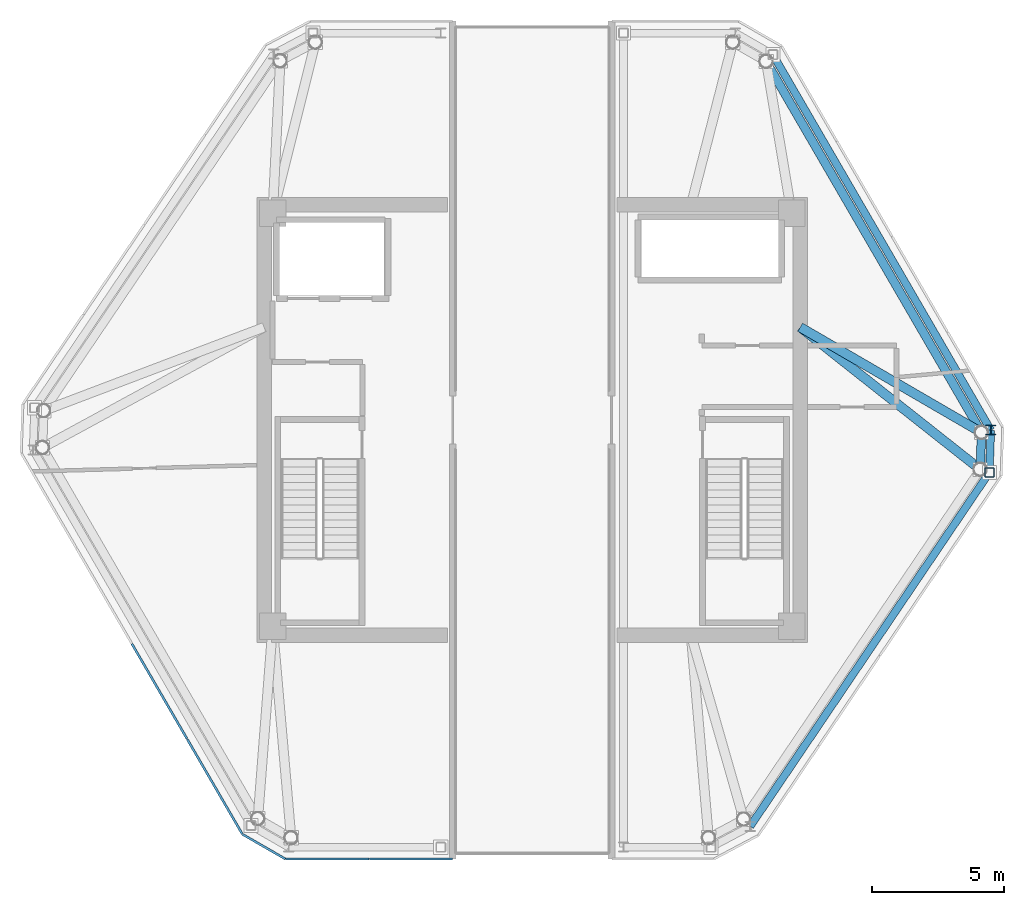
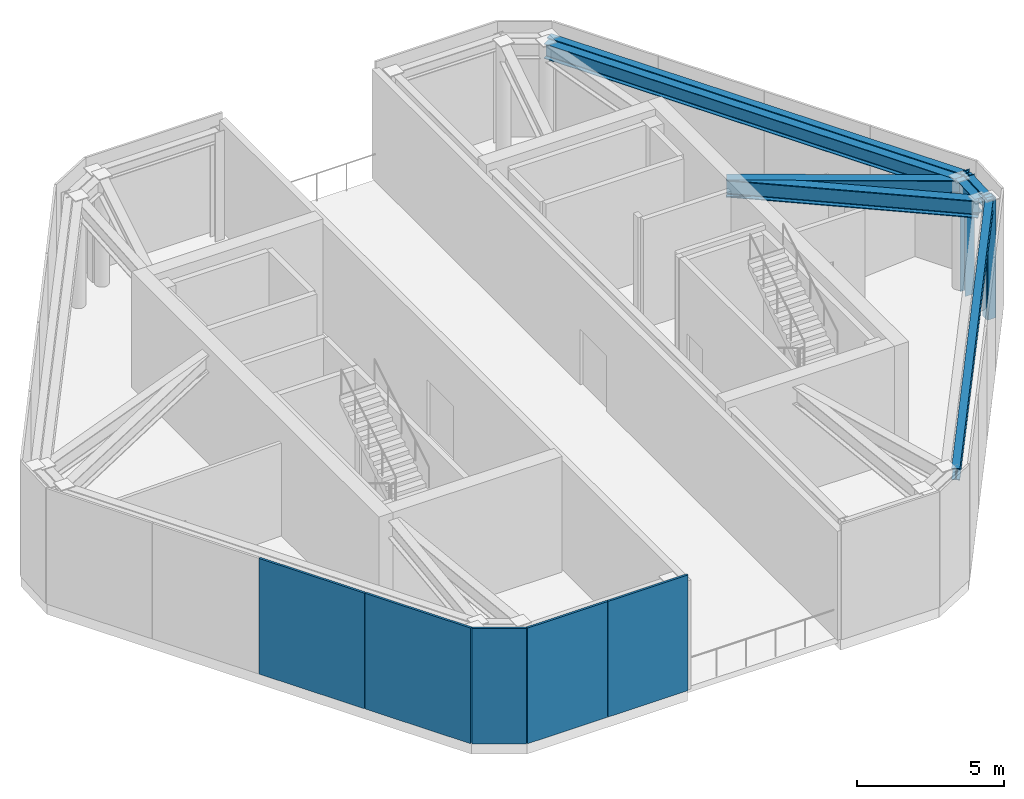
# One storey, part 5 of 8: 7 beams, 5 plates, 2 members.
"""IFC4 building model written with IfcOpenShell, lengths in metres."""

from ifc_helpers import new_model, si_unit, direction, frame, origin, origin_2d, place, context, subcontext, project, spatial, rectangle, hollow_rectangle, i_section, extrude, source, transform, mapped, material, layer, layer_set, material_profile, profile_set, type_object, type_shapes, element, save


model = new_model("IFC4")

# Units and contexts
model_context = context("Model", 3, precision=1e-05, world=origin(), true_north=direction((0.0, 1.0)))
body_context = subcontext(model_context, "Body", "Model", "MODEL_VIEW")
ifc_project = project(units=[si_unit("LENGTHUNIT", "METRE"), si_unit("AREAUNIT", "SQUARE_METRE"), si_unit("VOLUMEUNIT", "CUBIC_METRE"), si_unit("PLANEANGLEUNIT", "RADIAN"), si_unit("MASSUNIT", "GRAM", prefix="KILO")], contexts=[model_context])

# Site, building, storey
site_placement = place(None, origin())
site = spatial("IfcSite", under=ifc_project, at=site_placement, CompositionType="ELEMENT")
building_placement = place(site_placement, origin())
building = spatial("IfcBuilding", under=site, at=building_placement, Name="Durnholm Broadcast Tower", CompositionType="ELEMENT")
storey_placement = place(building_placement, frame((0.0, 0.0, 272.5)))
storey = spatial("IfcBuildingStorey", under=building, at=storey_placement, Name="L76", CompositionType="ELEMENT", Elevation=272.5)

# Beams
ifc_material_1 = material(Name="Steel ASTM A992 Grade 50", Category="steel")
ifc_material_profile_1 = material_profile(ifc_material_1, i_section(OverallWidth=0.3251953125, OverallDepth=0.6162109375, WebThickness=0.013916015625, FlangeThickness=0.021484375, FilletRadius=0.02783203125, at=origin_2d()), Name="W24X117")
ifc_profile_set_1 = profile_set([ifc_material_profile_1], Name="Steel ASTM A992 Grade 50")
beam_type_1 = type_object("IfcBeamType", Name="STL-SP-W24X117", PredefinedType="SPANDREL", material=ifc_profile_set_1)
shared_shape_1 = source(origin(), body_context, "Body", "SweptSolid", [
    extrude(i_section(OverallWidth=0.3251953125, OverallDepth=0.6162109375, WebThickness=0.013916015625, FlangeThickness=0.021484375, FilletRadius=0.02783203125, at=origin_2d()), origin(), (0.0, 0.0, 1.0), 1.39453125),
])
beam_1_placement = place(storey_placement, frame((16.97021484375, -0.47607421875, 4.197021484375), z_axis=(-0.034311541846, -0.999411185697, 0.0), x_axis=(0.999411185697, -0.034311541846, 0.0)))
element("IfcBeam", 1, at=beam_1_placement, inside=storey, type_object=beam_type_1, Name="L76 perimeter spandrel girder 08", PredefinedType="SPANDREL", context=body_context, shape_type="MappedRepresentation", body=[
    mapped(shared_shape_1, transform((0.0, 0.0, 0.0), x_axis=(1.0, 0.0, 0.0), y_axis=(0.0, 1.0, 0.0), z_axis=(0.0, 0.0, 1.0), scale=1.0)),
])
shared_shape_2 = source(origin(), body_context, "Body", "SweptSolid", [
    extrude(i_section(OverallWidth=0.3251953125, OverallDepth=0.6162109375, WebThickness=0.013916015625, FlangeThickness=0.021484375, FilletRadius=0.02783203125, at=origin_2d()), origin(), (0.0, 0.0, 1.0), 16.20263671875),
])
type_shapes(beam_type_1, [shared_shape_1, shared_shape_2])
beam_2_placement = place(storey_placement, frame((8.83740234375, 13.53759765625, 4.197021484375), z_axis=(0.501943573333, -0.864900369516, 0.0), x_axis=(0.864900369516, 0.501943573333, 0.0)))
element("IfcBeam", 2, at=beam_2_placement, inside=storey, type_object=beam_type_1, Name="L76 perimeter spandrel girder 07", PredefinedType="SPANDREL", context=body_context, shape_type="MappedRepresentation", body=[
    mapped(shared_shape_2, transform((0.0, 0.0, 0.0), x_axis=(1.0, 0.0, 0.0), y_axis=(0.0, 1.0, 0.0), z_axis=(0.0, 0.0, 1.0), scale=1.0)),
])
ifc_material_profile_2 = material_profile(ifc_material_1, i_section(OverallWidth=0.3564453125, OverallDepth=0.713623046875, WebThickness=0.01904296875, FlangeThickness=0.033935546875, FilletRadius=0.030517578125, at=origin_2d()), Name="W27X194")
ifc_profile_set_2 = profile_set([ifc_material_profile_2], Name="Steel ASTM A992 Grade 50")
beam_type_2 = type_object("IfcBeamType", Name="STL-GR-W27X194", PredefinedType="USERDEFINED", material=ifc_profile_set_2)
shared_shape_3 = source(origin(), body_context, "Body", "SweptSolid", [
    extrude(i_section(OverallWidth=0.3564453125, OverallDepth=0.713623046875, WebThickness=0.01904296875, FlangeThickness=0.033935546875, FilletRadius=0.030517578125, at=origin_2d()), origin(), (0.0, 0.0, 1.0), 7.916259765625),
])
beam_3_placement = place(storey_placement, frame((10.125, 3.5, 4.148193359375), z_axis=(0.864710310336, -0.502270922111, 0.0), x_axis=(0.502270922111, 0.864710310336, 0.0)))
element("IfcBeam", 3, at=beam_3_placement, inside=storey, type_object=beam_type_2, Name="L76 radial primary floor girder 08", ObjectType="GIRDER", PredefinedType="USERDEFINED", context=body_context, shape_type="MappedRepresentation", body=[
    mapped(shared_shape_3, transform((0.0, 0.0, 0.0), x_axis=(1.0, 0.0, 0.0), y_axis=(0.0, 1.0, 0.0), z_axis=(0.0, 0.0, 1.0), scale=1.0)),
])
shared_shape_4 = source(origin(), body_context, "Body", "SweptSolid", [
    extrude(i_section(OverallWidth=0.3564453125, OverallDepth=0.713623046875, WebThickness=0.01904296875, FlangeThickness=0.033935546875, FilletRadius=0.030517578125, at=origin_2d()), origin(), (0.0, 0.0, 1.0), 8.66259765625),
])
type_shapes(beam_type_2, [shared_shape_3, shared_shape_4])
beam_4_placement = place(storey_placement, frame((10.125, 3.5, 4.148193359375), z_axis=(0.784684334797, -0.619895551464, 0.0), x_axis=(0.619895551464, 0.784684334797, 0.0)))
element("IfcBeam", 4, at=beam_4_placement, inside=storey, type_object=beam_type_2, Name="L76 radial primary floor girder 09", ObjectType="GIRDER", PredefinedType="USERDEFINED", context=body_context, shape_type="MappedRepresentation", body=[
    mapped(shared_shape_4, transform((0.0, 0.0, 0.0), x_axis=(1.0, 0.0, 0.0), y_axis=(0.0, 1.0, 0.0), z_axis=(0.0, 0.0, 1.0), scale=1.0)),
])

# Members
ifc_material_2 = material(Name="Steel ASTM A500 Grade C", Category="steel")
ifc_material_profile_3 = material_profile(ifc_material_2, hollow_rectangle(XDim=0.355712890625, YDim=0.355712890625, WallThickness=0.01171875, InnerFilletRadius=0.017578125, OuterFilletRadius=0.029541015625, at=origin_2d()), Name="HSS14X14X1/2")
ifc_profile_set_3 = profile_set([ifc_material_profile_3], Name="Steel ASTM A500 Grade C")
member_type_1 = type_object("IfcMemberType", Name="STL-CF-HSS14X14", PredefinedType="USERDEFINED", material=ifc_profile_set_3)
shared_shape_5 = source(origin(), body_context, "Body", "SweptSolid", [
    extrude(hollow_rectangle(XDim=0.355712890625, YDim=0.355712890625, WallThickness=0.01171875, InnerFilletRadius=0.017578125, OuterFilletRadius=0.029541015625, at=origin_2d()), origin(), (0.0, 0.0, 1.0), 4.969970703125),
])
type_shapes(member_type_1, [shared_shape_5])
member_1_placement = place(storey_placement, frame((17.268798828125, -1.982421875, -0.449951171875), z_axis=(0.0, 0.0, 1.0), x_axis=(1.0, 0.0, 0.0)))
element("IfcMember", 5, at=member_1_placement, inside=storey, type_object=member_type_1, Name="L76 E split-crown frame post 5", ObjectType="CROWN FRAME", PredefinedType="USERDEFINED", context=body_context, shape_type="MappedRepresentation", body=[
    mapped(shared_shape_5, transform((0.0, 0.0, 0.0), x_axis=(1.0, 0.0, 0.0), y_axis=(0.0, 1.0, 0.0), z_axis=(0.0, 0.0, 1.0), scale=1.0)),
])
ifc_material_profile_4 = material_profile(ifc_material_1, i_section(OverallWidth=0.368896484375, OverallDepth=0.356201171875, WebThickness=0.01123046875, FlangeThickness=0.01806640625, FilletRadius=0.030517578125, at=origin_2d()), Name="W14X90")
ifc_profile_set_4 = profile_set([ifc_material_profile_4], Name="Steel ASTM A992 Grade 50")
member_type_2 = type_object("IfcMemberType", Name="STL-CF-W14X90", PredefinedType="USERDEFINED", material=ifc_profile_set_4)
shared_shape_6 = source(origin(), body_context, "Body", "SweptSolid", [
    extrude(i_section(OverallWidth=0.368896484375, OverallDepth=0.356201171875, WebThickness=0.01123046875, FlangeThickness=0.01806640625, FilletRadius=0.030517578125, at=origin_2d()), origin(), (0.0, 0.0, 1.0), 4.969970703125),
])
type_shapes(member_type_2, [shared_shape_6])
member_2_placement = place(storey_placement, frame((17.323486328125, -0.387451171875, -0.449951171875), z_axis=(0.0, 0.0, 1.0), x_axis=(1.0, 0.0, 0.0)))
element("IfcMember", 6, at=member_2_placement, inside=storey, type_object=member_type_2, Name="L76 E split-crown frame post 6", ObjectType="CROWN FRAME", PredefinedType="USERDEFINED", context=body_context, shape_type="MappedRepresentation", body=[
    mapped(shared_shape_6, transform((0.0, 0.0, 0.0), x_axis=(1.0, 0.0, 0.0), y_axis=(0.0, 1.0, 0.0), z_axis=(0.0, 0.0, 1.0), scale=1.0)),
])

# Beams
ifc_material_profile_5 = material_profile(ifc_material_1, i_section(OverallWidth=0.2861328125, OverallDepth=0.481689453125, WebThickness=0.0166015625, FlangeThickness=0.02685546875, FilletRadius=0.02294921875, at=origin_2d()), Name="W18X119")
ifc_profile_set_5 = profile_set([ifc_material_profile_5], Name="Steel ASTM A992 Grade 50")
beam_type_3 = type_object("IfcBeamType", Name="STL-BM-W18X119", PredefinedType="BEAM", material=ifc_profile_set_5)
shared_shape_7 = source(origin(), body_context, "Body", "SweptSolid", [
    extrude(i_section(OverallWidth=0.2861328125, OverallDepth=0.481689453125, WebThickness=0.0166015625, FlangeThickness=0.02685546875, FilletRadius=0.02294921875, at=origin_2d()), origin(), (0.0, 0.0, 1.0), 1.595947265625),
])
beam_5_placement = place(storey_placement, frame((17.268798828125, -1.982421875, 4.26416015625), z_axis=(0.034267326711, 0.999412702701, 0.0), x_axis=(-0.999412702701, 0.034267326711, 0.0)))
element("IfcBeam", 7, at=beam_5_placement, inside=storey, type_object=beam_type_3, Name="L76 E split-crown frame ring beam 5", PredefinedType="SPANDREL", context=body_context, shape_type="MappedRepresentation", body=[
    mapped(shared_shape_7, transform((0.0, 0.0, 0.0), x_axis=(1.0, 0.0, 0.0), y_axis=(0.0, 1.0, 0.0), z_axis=(0.0, 0.0, 1.0), scale=1.0)),
])
shared_shape_8 = source(origin(), body_context, "Body", "SweptSolid", [
    extrude(i_section(OverallWidth=0.2861328125, OverallDepth=0.481689453125, WebThickness=0.0166015625, FlangeThickness=0.02685546875, FilletRadius=0.02294921875, at=origin_2d()), origin(), (0.0, 0.0, 1.0), 16.13525390625),
])
beam_6_placement = place(storey_placement, frame((8.23193359375, -15.349609375, 4.26416015625), z_axis=(0.560069369395, 0.828445714254, 0.0), x_axis=(-0.828445714254, 0.560069369395, 0.0)))
element("IfcBeam", 8, at=beam_6_placement, inside=storey, type_object=beam_type_3, Name="L76 E split-crown frame ring beam 4", PredefinedType="SPANDREL", context=body_context, shape_type="MappedRepresentation", body=[
    mapped(shared_shape_8, transform((0.0, 0.0, 0.0), x_axis=(1.0, 0.0, 0.0), y_axis=(0.0, 1.0, 0.0), z_axis=(0.0, 0.0, 1.0), scale=1.0)),
])
shared_shape_9 = source(origin(), body_context, "Body", "SweptSolid", [
    extrude(i_section(OverallWidth=0.2861328125, OverallDepth=0.481689453125, WebThickness=0.0166015625, FlangeThickness=0.02685546875, FilletRadius=0.02294921875, at=origin_2d()), origin(), (0.0, 0.0, 1.0), 16.396728515625),
])
type_shapes(beam_type_3, [shared_shape_7, shared_shape_8, shared_shape_9])
beam_7_placement = place(storey_placement, frame((17.323486328125, -0.387451171875, 4.26416015625), z_axis=(-0.501940457755, 0.86490217763, 0.0), x_axis=(-0.86490217763, -0.501940457755, 0.0)))
element("IfcBeam", 9, at=beam_7_placement, inside=storey, type_object=beam_type_3, Name="L76 E split-crown frame ring beam 6", PredefinedType="SPANDREL", context=body_context, shape_type="MappedRepresentation", body=[
    mapped(shared_shape_9, transform((0.0, 0.0, 0.0), x_axis=(1.0, 0.0, 0.0), y_axis=(0.0, 1.0, 0.0), z_axis=(0.0, 0.0, 1.0), scale=1.0)),
])

# Plates
ifc_material_3 = material(Name="Anodised Architectural Aluminium Louvre Screen", Category="aluminium")
ifc_layer = layer(ifc_material_3, 0.0849609375)
ifc_layer_set = layer_set([ifc_layer], Name="Anodised Architectural Aluminium Louvre Screen")
plate_type = type_object("IfcPlateType", Name="PLT-CROWN-SCR", PredefinedType="USERDEFINED", material=ifc_layer_set)
shared_shape_10 = source(origin(), body_context, "Body", "SweptSolid", [
    extrude(rectangle(XDim=3.138916015625, YDim=0.0849609375, at=origin_2d()), origin(), (0.0, 0.0, 1.0), 4.800048828125),
])
for number, where, z_axis, x_axis, name in (
    (10, (-4.579345703125, -16.5859375, 0.0), (0.0, 0.0, 1.0), (-1.0, 0.0, 0.0), "L76 mechanical louvre screen panel SCR-L76-W-6.1"),
    (11, (-7.73828125, -16.5859375, 0.0), (0.0, 0.0, 1.0), (-1.0, 0.0, 0.0), "L76 mechanical louvre screen panel SCR-L76-W-6.2"),
):
    element("IfcPlate", number, at=place(storey_placement, frame(where, z_axis=z_axis, x_axis=x_axis)), inside=storey, type_object=plate_type, Name=name, ObjectType="SCREEN", PredefinedType="USERDEFINED", context=body_context, shape_type="MappedRepresentation", body=[
        mapped(shared_shape_10, transform((0.0, 0.0, 0.0), x_axis=(1.0, 0.0, 0.0), y_axis=(0.0, 1.0, 0.0), z_axis=(0.0, 0.0, 1.0), scale=1.0)),
    ])
shared_shape_11 = source(origin(), body_context, "Body", "SweptSolid", [
    extrude(rectangle(XDim=1.859130859375, YDim=0.0849609375, at=origin_2d()), origin(), (0.0, 0.0, 1.0), 4.800048828125),
])
plate_placement = place(storey_placement, frame((-10.1318359375, -16.1171875, 0.0), z_axis=(0.0, 0.0, 1.0), x_axis=(-0.866548527613, 0.499092826328, 0.0)))
element("IfcPlate", 12, at=plate_placement, inside=storey, type_object=plate_type, Name="L76 mechanical louvre screen panel SCR-L76-W-7.1", ObjectType="SCREEN", PredefinedType="USERDEFINED", context=body_context, shape_type="MappedRepresentation", body=[
    mapped(shared_shape_11, transform((0.0, 0.0, 0.0), x_axis=(1.0, 0.0, 0.0), y_axis=(0.0, 1.0, 0.0), z_axis=(0.0, 0.0, 1.0), scale=1.0)),
])
shared_shape_12 = source(origin(), body_context, "Body", "SweptSolid", [
    extrude(rectangle(XDim=4.1416015625, YDim=0.0849609375, at=origin_2d()), origin(), (0.0, 0.0, 1.0), 4.800048828125),
])
type_shapes(plate_type, [shared_shape_10, shared_shape_11, shared_shape_12])
for number, where, z_axis, x_axis, name in (
    (13, (-11.990478515625, -13.848388671875, 0.0), (0.0, 0.0, 1.0), (-0.501963660617, 0.864888711581, 0.0), "L76 mechanical louvre screen panel SCR-L76-W-8.1"),
    (14, (-14.079345703125, -10.2490234375, 0.0), (0.0, 0.0, 1.0), (-0.501963660617, 0.864888711581, 0.0), "L76 mechanical louvre screen panel SCR-L76-W-8.2"),
):
    element("IfcPlate", number, at=place(storey_placement, frame(where, z_axis=z_axis, x_axis=x_axis)), inside=storey, type_object=plate_type, Name=name, ObjectType="SCREEN", PredefinedType="USERDEFINED", context=body_context, shape_type="MappedRepresentation", body=[
        mapped(shared_shape_12, transform((0.0, 0.0, 0.0), x_axis=(1.0, 0.0, 0.0), y_axis=(0.0, 1.0, 0.0), z_axis=(0.0, 0.0, 1.0), scale=1.0)),
    ])

save(model, "model.ifc")
